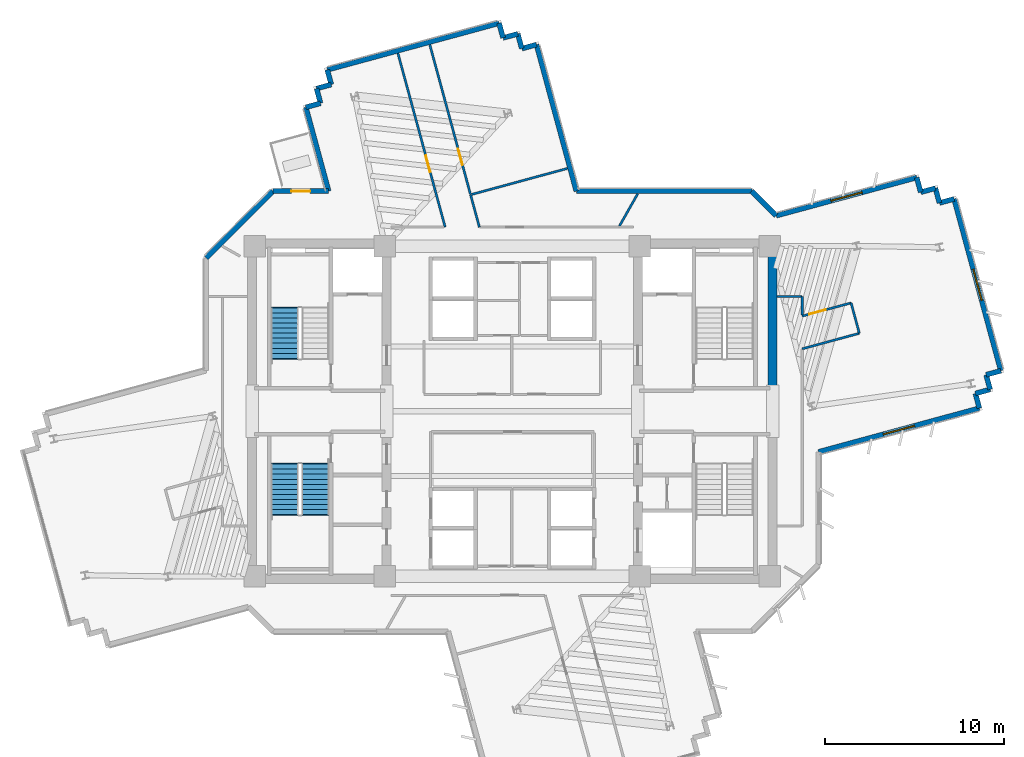
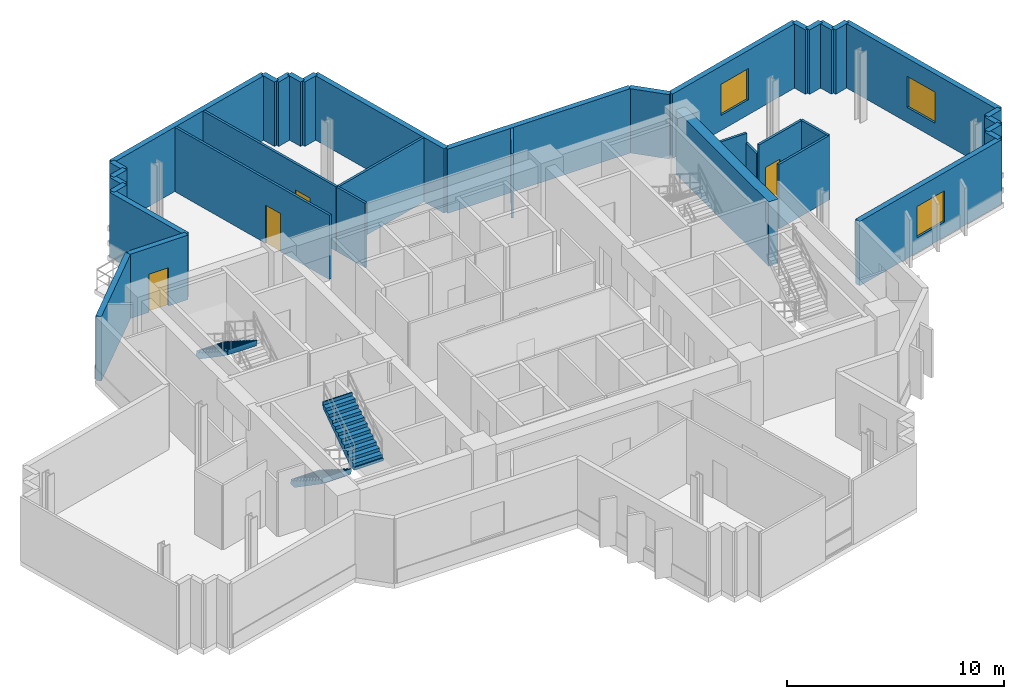
# One storey, part 11 of 15: 37 walls, 4 doors, 3 stair flights, 3 windows, 7 openings, 2 elements without a shape of their own.
"""IFC4 building model written with IfcOpenShell, lengths in metres."""

from ifc_helpers import new_model, si_unit, direction, frame, frame_2d, origin, place, context, subcontext, project, spatial, polyline, rectangle, outline, extrude, source, transform, mapped, material, layer, layer_set, type_object, element, fill, aggregate, save


model = new_model("IFC4")

# Units and contexts
model_context = context("Model", 3, precision=1e-05, world=origin(), true_north=direction((0.0, 1.0)))
body_context = subcontext(model_context, "Body", "Model", "MODEL_VIEW")
ifc_project = project(units=[si_unit("LENGTHUNIT", "METRE"), si_unit("AREAUNIT", "SQUARE_METRE"), si_unit("VOLUMEUNIT", "CUBIC_METRE"), si_unit("PLANEANGLEUNIT", "RADIAN"), si_unit("MASSUNIT", "GRAM", prefix="KILO")], contexts=[model_context])

# Site, building, storey
site_placement = place(None, origin())
site = spatial("IfcSite", under=ifc_project, at=site_placement, CompositionType="ELEMENT")
building_placement = place(site_placement, origin())
building = spatial("IfcBuilding", under=site, at=building_placement, Name="Zahravan Cultural Tower", CompositionType="ELEMENT")
storey_placement = place(building_placement, frame((0.0, 0.0, 198.0)))
storey = spatial("IfcBuildingStorey", under=building, at=storey_placement, Name="L46", CompositionType="ELEMENT", Elevation=198.0)

# Wall, opening, window
ifc_material_1 = material(Name="Precast concrete C40/50", Category="concrete")
ifc_layer_1 = layer(ifc_material_1, 0.280029296875)
ifc_layer_set_1 = layer_set([ifc_layer_1], Name="Precast concrete C40/50")
wall_type_1 = type_object("IfcWallType", Name="EW-TC-280", PredefinedType="SOLIDWALL", material=ifc_layer_set_1)
wall_1_placement = place(storey_placement, frame((50.705078125, 37.896728515625, 0.0), z_axis=(0.0, 0.0, 1.0), x_axis=(0.965017555758, 0.262185272431, 0.0)))
wall_1 = element("IfcWall", 1, at=wall_1_placement, inside=storey, type_object=wall_type_1, Name="L46 Exterior Masonry Frame Wall 01", PredefinedType="SOLIDWALL", context=body_context, shape_type="SweptSolid", body=[
    extrude(rectangle(XDim=8.1123046875, YDim=0.280029296875, at=frame_2d((4.05615234375, 0.0))), origin(), (0.0, 0.0, 1.0), 3.6201171875),
])
opening_1_placement = place(wall_1_placement, frame((3.156005859375, 0.0, 0.85009765625)))
opening_1 = element("IfcOpeningElement", 2, at=opening_1_placement, cuts=wall_1, Name="Opening WN-02", PredefinedType="OPENING", context=body_context, shape_type="SweptSolid", body=[
    extrude(rectangle(XDim=1.800048828125, YDim=1.75, at=frame_2d((0.89990234375, 0.875))), frame((0.0, 0.14990234375, 0.0), z_axis=(0.0, -1.0, 0.0), x_axis=(1.0, 0.0, 0.0)), (0.0, 0.0, 1.0), 0.300048828125),
])
ifc_material_2 = material(Name="Low-E solar-control double glazing", Category="glass")
window_type = type_object("IfcWindowType", Name="WN-REC-1800X1750", PartitioningType="DOUBLE_PANEL_VERTICAL", PredefinedType="WINDOW", material=ifc_material_2)
shared_shape_1 = source(origin(), body_context, "Body", "SweptSolid", [
    extrude(rectangle(XDim=1.800048828125, YDim=1.75, at=frame_2d((0.89990234375, 0.875))), frame((0.0, 0.030029296875, 0.0), z_axis=(0.0, -1.0, 0.0), x_axis=(1.0, 0.0, 0.0)), (0.0, 0.0, 1.0), 0.06005859375),
])
window_1_placement = place(opening_1_placement, origin())
window_1 = element("IfcWindow", 3, at=window_1_placement, inside=storey, type_object=window_type, Name="L46 Recessed Solar Window 01", OverallHeight=1.75, OverallWidth=1.800048828125, PartitioningType="DOUBLE_PANEL_VERTICAL", PredefinedType="WINDOW", context=body_context, shape_type="MappedRepresentation", body=[
    mapped(shared_shape_1, transform((0.0, 0.0, 0.0), x_axis=(1.0, 0.0, 0.0), y_axis=(0.0, 1.0, 0.0), z_axis=(0.0, 0.0, 1.0), scale=1.0)),
])
fill(opening_1, window_1)

wall_2_placement = place(storey_placement, frame((60.619873046875, 38.828857421875, 0.0), z_axis=(0.0, 0.0, 1.0), x_axis=(0.262180173408, -0.965018941095, 0.0)))
wall_2 = element("IfcWall", 4, at=wall_2_placement, inside=storey, type_object=wall_type_1, Name="L46 Exterior Masonry Frame Wall 06", PredefinedType="SOLIDWALL", context=body_context, shape_type="SweptSolid", body=[
    extrude(rectangle(XDim=9.919921875, YDim=0.280029296875, at=frame_2d((4.9599609375, 0.0))), origin(), (0.0, 0.0, 1.0), 3.6201171875),
])
opening_2_placement = place(wall_2_placement, frame((4.06005859375, 0.0, 0.85009765625)))
opening_2 = element("IfcOpeningElement", 5, at=opening_2_placement, cuts=wall_2, Name="Opening WN-02", PredefinedType="OPENING", context=body_context, shape_type="SweptSolid", body=[
    extrude(rectangle(XDim=1.800048828125, YDim=1.75, at=frame_2d((0.89990234375, 0.875))), frame((0.0, 0.14990234375, 0.0), z_axis=(0.0, -1.0, 0.0), x_axis=(1.0, 0.0, 0.0)), (0.0, 0.0, 1.0), 0.300048828125),
])
window_2_placement = place(opening_2_placement, origin())
window_2 = element("IfcWindow", 6, at=window_2_placement, inside=storey, type_object=window_type, Name="L46 Recessed Solar Window 02", OverallHeight=1.75, OverallWidth=1.800048828125, PartitioningType="DOUBLE_PANEL_VERTICAL", PredefinedType="WINDOW", context=body_context, shape_type="MappedRepresentation", body=[
    mapped(shared_shape_1, transform((0.0, 0.0, 0.0), x_axis=(1.0, 0.0, 0.0), y_axis=(0.0, 1.0, 0.0), z_axis=(0.0, 0.0, 1.0), scale=1.0)),
])
fill(opening_2, window_2)

wall_3_placement = place(storey_placement, frame((62.02587890625, 27.169677734375, 0.0), z_axis=(0.0, 0.0, 1.0), x_axis=(-0.965014433153, -0.262196765439, 0.0)))
wall_3 = element("IfcWall", 7, at=wall_3_placement, inside=storey, type_object=wall_type_1, Name="L46 Exterior Masonry Frame Wall 11", PredefinedType="SOLIDWALL", context=body_context, shape_type="SweptSolid", body=[
    extrude(rectangle(XDim=9.290771484375, YDim=0.280029296875, at=frame_2d((4.6455078125, 0.0))), origin(), (0.0, 0.0, 1.0), 3.6201171875),
])
opening_3_placement = place(wall_3_placement, frame((3.74609375, 0.0, 0.85009765625)))
opening_3 = element("IfcOpeningElement", 8, at=opening_3_placement, cuts=wall_3, Name="Opening WN-02", PredefinedType="OPENING", context=body_context, shape_type="SweptSolid", body=[
    extrude(rectangle(XDim=1.800048828125, YDim=1.75, at=frame_2d((0.89990234375, 0.875))), frame((0.0, 0.14990234375, 0.0), z_axis=(0.0, -1.0, 0.0), x_axis=(1.0, 0.0, 0.0)), (0.0, 0.0, 1.0), 0.300048828125),
])
window_3_placement = place(opening_3_placement, origin())
window_3 = element("IfcWindow", 9, at=window_3_placement, inside=storey, type_object=window_type, Name="L46 Recessed Solar Window 03", OverallHeight=1.75, OverallWidth=1.800048828125, PartitioningType="DOUBLE_PANEL_VERTICAL", PredefinedType="WINDOW", context=body_context, shape_type="MappedRepresentation", body=[
    mapped(shared_shape_1, transform((0.0, 0.0, 0.0), x_axis=(1.0, 0.0, 0.0), y_axis=(0.0, 1.0, 0.0), z_axis=(0.0, 0.0, 1.0), scale=1.0)),
])
fill(opening_3, window_3)

# Wall, opening, door
wall_4_placement = place(storey_placement, frame((22.657958984375, 39.260009765625, 0.0), z_axis=(0.0, 0.0, 1.0), x_axis=(1.0, 0.0, 0.0)))
wall_4 = element("IfcWall", 10, at=wall_4_placement, inside=storey, type_object=wall_type_1, Name="L46 Exterior Masonry Frame Wall 39", PredefinedType="SOLIDWALL", context=body_context, shape_type="SweptSolid", body=[
    extrude(rectangle(XDim=3.109619140625, YDim=0.280029296875, at=frame_2d((1.5546875, 0.0))), origin(), (0.0, 0.0, 1.0), 3.6201171875),
])
opening_4_placement = place(wall_4_placement, frame((1.030029296875, 0.0, 0.0)))
opening_4 = element("IfcOpeningElement", 11, at=opening_4_placement, cuts=wall_4, Name="Opening D-L46-TR-NW", PredefinedType="OPENING", context=body_context, shape_type="SweptSolid", body=[
    extrude(rectangle(XDim=1.050048828125, YDim=2.14990234375, at=frame_2d((0.52490234375, 1.074951171875))), frame((0.0, 0.14990234375, 0.0), z_axis=(0.0, -1.0, 0.0), x_axis=(1.0, 0.0, 0.0)), (0.0, 0.0, 1.0), 0.300048828125),
])
ifc_material_3 = material(Name="Anodised bronze-aluminium mullion", Category="aluminium")
door_type_1 = type_object("IfcDoorType", Name="DR-TERR-1050", OperationType="NOTDEFINED", PredefinedType="DOOR", material=ifc_material_3)
shared_shape_2 = source(origin(), body_context, "Body", "SweptSolid", [
    extrude(rectangle(XDim=1.050048828125, YDim=2.14990234375, at=frame_2d((0.52490234375, 1.074951171875))), frame((0.0, 0.02490234375, 0.0), z_axis=(0.0, -1.0, 0.0), x_axis=(1.0, 0.0, 0.0)), (0.0, 0.0, 1.0), 0.050048828125),
])
door_1_placement = place(opening_4_placement, origin())
door_1 = element("IfcDoor", 12, at=door_1_placement, inside=storey, type_object=door_type_1, Name="L46 Terrace Access Door NW", OperationType="SINGLE_SWING_LEFT", OverallHeight=2.14990234375, OverallWidth=1.050048828125, PredefinedType="DOOR", context=body_context, shape_type="MappedRepresentation", body=[
    mapped(shared_shape_2, transform((0.0, 0.0, 0.0), x_axis=(1.0, 0.0, 0.0), y_axis=(0.0, 1.0, 0.0), z_axis=(0.0, 0.0, 1.0), scale=1.0)),
])
fill(opening_4, door_1)

ifc_material_4 = material(Name="Gypsum plasterboard partition")
ifc_layer_2 = layer(ifc_material_4, 0.125)
ifc_layer_set_2 = layer_set([ifc_layer_2], Name="Gypsum plasterboard partition")
wall_type_2 = type_object("IfcWallType", Name="W-PART-125", PredefinedType="PARTITIONING", material=ifc_layer_set_2)
wall_5_placement = place(storey_placement, frame((33.670654296875, 39.08203125, 0.0), z_axis=(0.0, 0.0, 1.0), x_axis=(-0.262187726373, 0.965016889044, 0.0)))
wall_5 = element("IfcWall", 13, at=wall_5_placement, inside=storey, type_object=wall_type_2, Name="L46 Interior Wall 084", PredefinedType="PARTITIONING", context=body_context, shape_type="SweptSolid", body=[
    extrude(rectangle(XDim=8.64501953125, YDim=0.125, at=frame_2d((4.322509765625, 0.0))), origin(), (0.0, 0.0, 1.0), 3.6201171875),
])
opening_5_placement = place(wall_5_placement, frame((1.69287109375, 0.0, 0.0)))
opening_5 = element("IfcOpeningElement", 14, at=opening_5_placement, cuts=wall_5, Name="Opening D-L46-22", PredefinedType="OPENING", context=body_context, shape_type="SweptSolid", body=[
    extrude(rectangle(XDim=0.949951171875, YDim=2.14990234375, at=frame_2d((0.47509765625, 1.074951171875))), frame((0.0, 0.072509765625, 0.0), z_axis=(0.0, -1.0, 0.0), x_axis=(1.0, 0.0, 0.0)), (0.0, 0.0, 1.0), 0.14501953125),
])
door_type_2 = type_object("IfcDoorType", Name="DR-ROOM-950", OperationType="NOTDEFINED", PredefinedType="DOOR", material=ifc_material_3)
shared_shape_3 = source(origin(), body_context, "Body", "SweptSolid", [
    extrude(rectangle(XDim=0.949951171875, YDim=2.14990234375, at=frame_2d((0.47509765625, 1.074951171875))), frame((0.0, 0.02490234375, 0.0), z_axis=(0.0, -1.0, 0.0), x_axis=(1.0, 0.0, 0.0)), (0.0, 0.0, 1.0), 0.050048828125),
])
door_2_placement = place(opening_5_placement, origin())
door_2 = element("IfcDoor", 15, at=door_2_placement, inside=storey, type_object=door_type_2, Name="L46 Door D-L46-22", OperationType="SINGLE_SWING_RIGHT", OverallHeight=2.14990234375, OverallWidth=0.949951171875, PredefinedType="DOOR", context=body_context, shape_type="MappedRepresentation", body=[
    mapped(shared_shape_3, transform((0.0, 0.0, 0.0), x_axis=(1.0, 0.0, 0.0), y_axis=(0.0, 1.0, 0.0), z_axis=(0.0, 0.0, 1.0), scale=1.0)),
])
fill(opening_5, door_2)

wall_6_placement = place(storey_placement, frame((29.62841796875, 46.942138671875, 0.0), z_axis=(0.0, 0.0, 1.0), x_axis=(0.262192801501, -0.965015510156, 0.0)))
wall_6 = element("IfcWall", 16, at=wall_6_placement, inside=storey, type_object=wall_type_2, Name="L46 Interior Wall 091", PredefinedType="PARTITIONING", context=body_context, shape_type="SweptSolid", body=[
    extrude(rectangle(XDim=10.033203125, YDim=0.125, at=frame_2d((5.0166015625, 0.0))), origin(), (0.0, 0.0, 1.0), 3.6201171875),
])
opening_6_placement = place(wall_6_placement, frame((5.904052734375, 0.0, 0.0)))
opening_6 = element("IfcOpeningElement", 17, at=opening_6_placement, cuts=wall_6, Name="Opening D-L46-23", PredefinedType="OPENING", context=body_context, shape_type="SweptSolid", body=[
    extrude(rectangle(XDim=0.949951171875, YDim=2.14990234375, at=frame_2d((0.47509765625, 1.074951171875))), frame((0.0, 0.072509765625, 0.0), z_axis=(0.0, -1.0, 0.0), x_axis=(1.0, 0.0, 0.0)), (0.0, 0.0, 1.0), 0.14501953125),
])
door_3_placement = place(opening_6_placement, origin())
door_3 = element("IfcDoor", 18, at=door_3_placement, inside=storey, type_object=door_type_2, Name="L46 Door D-L46-23", OperationType="SINGLE_SWING_LEFT", OverallHeight=2.14990234375, OverallWidth=0.949951171875, PredefinedType="DOOR", context=body_context, shape_type="MappedRepresentation", body=[
    mapped(shared_shape_3, transform((0.0, 0.0, 0.0), x_axis=(1.0, 0.0, 0.0), y_axis=(0.0, 1.0, 0.0), z_axis=(0.0, 0.0, 1.0), scale=1.0)),
])
fill(opening_6, door_3)

wall_7_placement = place(storey_placement, frame((54.876708984375, 33.035400390625, 0.0), z_axis=(0.0, 0.0, 1.0), x_axis=(-0.965486271956, -0.260453947301, 0.0)))
wall_7 = element("IfcWall", 19, at=wall_7_placement, inside=storey, type_object=wall_type_2, Name="L46 Interior Wall 108", PredefinedType="PARTITIONING", context=body_context, shape_type="SweptSolid", body=[
    extrude(rectangle(XDim=2.82421875, YDim=0.125, at=frame_2d((1.412109375, 0.0))), origin(), (0.0, 0.0, 1.0), 3.6201171875),
])
opening_7_placement = place(wall_7_placement, frame((1.4619140625, 0.0, 0.0)))
opening_7 = element("IfcOpeningElement", 20, at=opening_7_placement, cuts=wall_7, Name="Opening D-L46-20", PredefinedType="OPENING", context=body_context, shape_type="SweptSolid", body=[
    extrude(rectangle(XDim=0.949951171875, YDim=2.14990234375, at=frame_2d((0.47509765625, 1.074951171875))), frame((0.0, 0.072509765625, 0.0), z_axis=(0.0, -1.0, 0.0), x_axis=(1.0, 0.0, 0.0)), (0.0, 0.0, 1.0), 0.14501953125),
])
door_4_placement = place(opening_7_placement, origin())
door_4 = element("IfcDoor", 21, at=door_4_placement, inside=storey, type_object=door_type_2, Name="L46 Door D-L46-20", OperationType="SINGLE_SWING_RIGHT", OverallHeight=2.14990234375, OverallWidth=0.949951171875, PredefinedType="DOOR", context=body_context, shape_type="MappedRepresentation", body=[
    mapped(shared_shape_3, transform((0.0, 0.0, 0.0), x_axis=(1.0, 0.0, 0.0), y_axis=(0.0, 1.0, 0.0), z_axis=(0.0, 0.0, 1.0), scale=1.0)),
])
fill(opening_7, door_4)

# Walls
ifc_material_5 = material(Name="Concrete C60/75", Category="concrete")
ifc_layer_3 = layer(ifc_material_5, 0.5)
ifc_layer_set_3 = layer_set([ifc_layer_3], Name="Concrete C60/75")
wall_type_3 = type_object("IfcWallType", Name="CW-SHEAR-500-C60", PredefinedType="SHEAR", material=ifc_layer_set_3)
shared_shape_4 = source(origin(), body_context, "Body", "SweptSolid", [
    extrude(rectangle(XDim=8.550048828125, YDim=0.5, at=frame_2d((4.27490234375, 0.0))), origin(), (0.0, 0.0, 1.0), 3.6201171875),
])
wall_8_placement = place(storey_placement, frame((50.5, 28.050048828125, 0.0), z_axis=(0.0, 0.0, 1.0), x_axis=(0.0, 1.0, 0.0)))
element("IfcWall", 22, at=wall_8_placement, inside=storey, type_object=wall_type_3, Name="L46 Core Shear Wall CW-E-EN-L46", PredefinedType="SHEAR", context=body_context, shape_type="MappedRepresentation", body=[
    mapped(shared_shape_4, transform((0.0, 0.0, 0.0), x_axis=(1.0, 0.0, 0.0), y_axis=(0.0, 1.0, 0.0), z_axis=(0.0, 0.0, 1.0), scale=1.0)),
])
shared_shape_5 = source(origin(), body_context, "Body", "SweptSolid", [
    extrude(rectangle(XDim=0.85009765625, YDim=0.280029296875, at=frame_2d((0.425048828125, 0.0))), origin(), (0.0, 0.0, 1.0), 3.6201171875),
])
for number, where, z_axis, x_axis, name in (
    (23, (58.53369140625, 40.023681640625, 0.0), (0.0, 0.0, 1.0), (0.262218119094, -0.965008631059, 0.0), "L46 Exterior Masonry Frame Wall 02"),
    (24, (58.756591796875, 39.203369140625, 0.0), (0.0, 0.0, 1.0), (0.965008631059, 0.262218119094, 0.0), "L46 Exterior Masonry Frame Wall 03"),
    (25, (59.576904296875, 39.42626953125, 0.0), (0.0, 0.0, 1.0), (0.261950631675, -0.965081274591, 0.0), "L46 Exterior Masonry Frame Wall 04"),
    (26, (59.799560546875, 38.60595703125, 0.0), (0.0, 0.0, 1.0), (0.965008631059, 0.262218119094, 0.0), "L46 Exterior Masonry Frame Wall 05"),
    (27, (63.220703125, 29.255859375, 0.0), (0.0, 0.0, 1.0), (-0.965081274591, -0.261950631675, 0.0), "L46 Exterior Masonry Frame Wall 07"),
    (28, (62.400390625, 29.033203125, 0.0), (0.0, 0.0, 1.0), (0.262218119094, -0.965008631059, 0.0), "L46 Exterior Masonry Frame Wall 08"),
    (29, (62.623291015625, 28.212890625, 0.0), (0.0, 0.0, 1.0), (-0.965008631059, -0.262218119094, 0.0), "L46 Exterior Masonry Frame Wall 09"),
    (30, (61.802978515625, 27.989990234375, 0.0), (0.0, 0.0, 1.0), (0.262218119094, -0.965008631059, 0.0), "L46 Exterior Masonry Frame Wall 10"),
    (31, (24.4970703125, 43.9365234375, 0.0), (0.0, 0.0, 1.0), (0.965008631059, 0.262218119094, 0.0), "L46 Exterior Masonry Frame Wall 41"),
    (32, (25.3173828125, 44.159423828125, 0.0), (0.0, 0.0, 1.0), (-0.262218119094, 0.965008631059, 0.0), "L46 Exterior Masonry Frame Wall 42"),
    (33, (25.094482421875, 44.979736328125, 0.0), (0.0, 0.0, 1.0), (0.965081274591, 0.261950631675, 0.0), "L46 Exterior Masonry Frame Wall 43"),
    (34, (25.914794921875, 45.202392578125, 0.0), (0.0, 0.0, 1.0), (-0.262218119094, 0.965008631059, 0.0), "L46 Exterior Masonry Frame Wall 44"),
    (35, (35.264892578125, 48.623779296875, 0.0), (0.0, 0.0, 1.0), (0.261950631675, -0.965081274591, 0.0), "L46 Exterior Masonry Frame Wall 46"),
    (36, (35.487548828125, 47.803466796875, 0.0), (0.0, 0.0, 1.0), (0.965008631059, 0.262218119094, 0.0), "L46 Exterior Masonry Frame Wall 47"),
    (37, (36.307861328125, 48.0263671875, 0.0), (0.0, 0.0, 1.0), (0.262218119094, -0.965008631059, 0.0), "L46 Exterior Masonry Frame Wall 48"),
    (38, (36.53076171875, 47.2060546875, 0.0), (0.0, 0.0, 1.0), (0.965008631059, 0.262218119094, 0.0), "L46 Exterior Masonry Frame Wall 49"),
):
    element("IfcWall", number, at=place(storey_placement, frame(where, z_axis=z_axis, x_axis=x_axis)), inside=storey, type_object=wall_type_1, Name=name, PredefinedType="SOLIDWALL", context=body_context, shape_type="MappedRepresentation", body=[
        mapped(shared_shape_5, transform((0.0, 0.0, 0.0), x_axis=(1.0, 0.0, 0.0), y_axis=(0.0, 1.0, 0.0), z_axis=(0.0, 0.0, 1.0), scale=1.0)),
    ])
shared_shape_6 = source(origin(), body_context, "Body", "SweptSolid", [
    extrude(rectangle(XDim=5.258056640625, YDim=0.280029296875, at=frame_2d((2.62890625, 0.0))), origin(), (0.0, 0.0, 1.0), 3.6201171875),
])
wall_9_placement = place(storey_placement, frame((18.93994140625, 35.5419921875, 0.0), z_axis=(0.0, 0.0, 1.0), x_axis=(0.707106781187, 0.707106781187, 0.0)))
element("IfcWall", 39, at=wall_9_placement, inside=storey, type_object=wall_type_1, Name="L46 Exterior Masonry Frame Wall 38", PredefinedType="SOLIDWALL", context=body_context, shape_type="MappedRepresentation", body=[
    mapped(shared_shape_6, transform((0.0, 0.0, 0.0), x_axis=(1.0, 0.0, 0.0), y_axis=(0.0, 1.0, 0.0), z_axis=(0.0, 0.0, 1.0), scale=1.0)),
])
shared_shape_7 = source(origin(), body_context, "Body", "SweptSolid", [
    extrude(rectangle(XDim=1.927734375, YDim=0.280029296875, at=frame_2d((0.9638671875, 0.0))), origin(), (0.0, 0.0, 1.0), 3.6201171875),
])
wall_10_placement = place(storey_placement, frame((49.342041015625, 39.260009765625, 0.0), z_axis=(0.0, 0.0, 1.0), x_axis=(0.707043457246, -0.707170099456, 0.0)))
element("IfcWall", 40, at=wall_10_placement, inside=storey, type_object=wall_type_1, Name="L46 Exterior Masonry Frame Wall 52", PredefinedType="SOLIDWALL", context=body_context, shape_type="MappedRepresentation", body=[
    mapped(shared_shape_7, transform((0.0, 0.0, 0.0), x_axis=(1.0, 0.0, 0.0), y_axis=(0.0, 1.0, 0.0), z_axis=(0.0, 0.0, 1.0), scale=1.0)),
])
shared_shape_8 = source(origin(), body_context, "Body", "SweptSolid", [
    extrude(rectangle(XDim=4.845947265625, YDim=0.280029296875, at=frame_2d((2.4228515625, 0.0))), origin(), (0.0, 0.0, 1.0), 3.6201171875),
])
wall_11_placement = place(storey_placement, frame((25.767578125, 39.260009765625, 0.0), z_axis=(0.0, 0.0, 1.0), x_axis=(-0.262175182741, 0.965020296965, 0.0)))
element("IfcWall", 41, at=wall_11_placement, inside=storey, type_object=wall_type_1, Name="L46 Exterior Masonry Frame Wall 40", PredefinedType="SOLIDWALL", context=body_context, shape_type="MappedRepresentation", body=[
    mapped(shared_shape_8, transform((0.0, 0.0, 0.0), x_axis=(1.0, 0.0, 0.0), y_axis=(0.0, 1.0, 0.0), z_axis=(0.0, 0.0, 1.0), scale=1.0)),
])
shared_shape_9 = source(origin(), body_context, "Body", "SweptSolid", [
    extrude(rectangle(XDim=9.920166015625, YDim=0.280029296875, at=frame_2d((4.9599609375, 0.0))), origin(), (0.0, 0.0, 1.0), 3.6201171875),
])
wall_12_placement = place(storey_placement, frame((25.69189453125, 46.022705078125, 0.0), z_axis=(0.0, 0.0, 1.0), x_axis=(0.965012714082, 0.262203092393, 0.0)))
element("IfcWall", 42, at=wall_12_placement, inside=storey, type_object=wall_type_1, Name="L46 Exterior Masonry Frame Wall 45", PredefinedType="SOLIDWALL", context=body_context, shape_type="MappedRepresentation", body=[
    mapped(shared_shape_9, transform((0.0, 0.0, 0.0), x_axis=(1.0, 0.0, 0.0), y_axis=(0.0, 1.0, 0.0), z_axis=(0.0, 0.0, 1.0), scale=1.0)),
])
shared_shape_10 = source(origin(), body_context, "Body", "SweptSolid", [
    extrude(rectangle(XDim=8.465087890625, YDim=0.280029296875, at=frame_2d((4.232421875, 0.0))), origin(), (0.0, 0.0, 1.0), 3.6201171875),
])
wall_13_placement = place(storey_placement, frame((37.35107421875, 47.428955078125, 0.0), z_axis=(0.0, 0.0, 1.0), x_axis=(0.262192380254, -0.965015624608, 0.0)))
element("IfcWall", 43, at=wall_13_placement, inside=storey, type_object=wall_type_1, Name="L46 Exterior Masonry Frame Wall 50", PredefinedType="SOLIDWALL", context=body_context, shape_type="MappedRepresentation", body=[
    mapped(shared_shape_10, transform((0.0, 0.0, 0.0), x_axis=(1.0, 0.0, 0.0), y_axis=(0.0, 1.0, 0.0), z_axis=(0.0, 0.0, 1.0), scale=1.0)),
])
shared_shape_11 = source(origin(), body_context, "Body", "SweptSolid", [
    extrude(rectangle(XDim=9.771484375, YDim=0.280029296875, at=frame_2d((4.8857421875, 0.0))), origin(), (0.0, 0.0, 1.0), 3.6201171875),
])
wall_14_placement = place(storey_placement, frame((39.570556640625, 39.260009765625, 0.0), z_axis=(0.0, 0.0, 1.0), x_axis=(1.0, 0.0, 0.0)))
element("IfcWall", 44, at=wall_14_placement, inside=storey, type_object=wall_type_1, Name="L46 Exterior Masonry Frame Wall 51", PredefinedType="SOLIDWALL", context=body_context, shape_type="MappedRepresentation", body=[
    mapped(shared_shape_11, transform((0.0, 0.0, 0.0), x_axis=(1.0, 0.0, 0.0), y_axis=(0.0, 1.0, 0.0), z_axis=(0.0, 0.0, 1.0), scale=1.0)),
])
shared_shape_12 = source(origin(), body_context, "Body", "SweptSolid", [
    extrude(rectangle(XDim=5.52734375, YDim=0.125, at=frame_2d((2.763671875, 0.0))), origin(), (0.0, 0.0, 1.0), 3.6201171875),
])
wall_15_placement = place(storey_placement, frame((33.7412109375, 39.080322265625, 0.0), z_axis=(0.0, 0.0, 1.0), x_axis=(0.965004985248, 0.262231535949, 0.0)))
element("IfcWall", 45, at=wall_15_placement, inside=storey, type_object=wall_type_2, Name="L46 Interior Wall 075", PredefinedType="PARTITIONING", context=body_context, shape_type="MappedRepresentation", body=[
    mapped(shared_shape_12, transform((0.0, 0.0, 0.0), x_axis=(1.0, 0.0, 0.0), y_axis=(0.0, 1.0, 0.0), z_axis=(0.0, 0.0, 1.0), scale=1.0)),
])
shared_shape_13 = source(origin(), body_context, "Body", "SweptSolid", [
    extrude(rectangle(XDim=1.8681640625, YDim=0.125, at=frame_2d((0.93408203125, 0.0))), origin(), (0.0, 0.0, 1.0), 3.6201171875),
])
wall_16_placement = place(storey_placement, frame((34.165771484375, 37.260009765625, 0.0), z_axis=(0.0, 0.0, 1.0), x_axis=(-0.262166249224, 0.965022723964, 0.0)))
element("IfcWall", 46, at=wall_16_placement, inside=storey, type_object=wall_type_2, Name="L46 Interior Wall 074", PredefinedType="PARTITIONING", context=body_context, shape_type="MappedRepresentation", body=[
    mapped(shared_shape_13, transform((0.0, 0.0, 0.0), x_axis=(1.0, 0.0, 0.0), y_axis=(0.0, 1.0, 0.0), z_axis=(0.0, 0.0, 1.0), scale=1.0)),
])
shared_shape_14 = source(origin(), body_context, "Body", "SweptSolid", [
    extrude(rectangle(XDim=2.060791015625, YDim=0.125, at=frame_2d((1.0302734375, 0.0))), origin(), (0.0, 0.0, 1.0), 3.6201171875),
])
wall_17_placement = place(storey_placement, frame((42.9873046875, 39.114990234375, 0.0), z_axis=(0.0, 0.0, 1.0), x_axis=(-0.492818271576, -0.870132260752, 0.0)))
element("IfcWall", 47, at=wall_17_placement, inside=storey, type_object=wall_type_2, Name="L46 Interior Wall 076", PredefinedType="PARTITIONING", context=body_context, shape_type="MappedRepresentation", body=[
    mapped(shared_shape_14, transform((0.0, 0.0, 0.0), x_axis=(1.0, 0.0, 0.0), y_axis=(0.0, 1.0, 0.0), z_axis=(0.0, 0.0, 1.0), scale=1.0)),
])
shared_shape_15 = source(origin(), body_context, "Body", "SweptSolid", [
    extrude(rectangle(XDim=1.028076171875, YDim=0.125, at=frame_2d((0.51416015625, 0.0))), origin(), (0.0, 0.0, 1.0), 3.0791015625),
])
wall_18_placement = place(storey_placement, frame((52.14990234375, 32.36962890625, 0.0), z_axis=(0.0, 0.0, 1.0), x_axis=(-0.001187365584, 0.999999295081, 0.0)))
element("IfcWall", 48, at=wall_18_placement, inside=storey, type_object=wall_type_2, Name="L46 Interior Wall 109", PredefinedType="PARTITIONING", context=body_context, shape_type="MappedRepresentation", body=[
    mapped(shared_shape_15, transform((0.0, 0.0, 0.0), x_axis=(1.0, 0.0, 0.0), y_axis=(0.0, 1.0, 0.0), z_axis=(0.0, 0.0, 1.0), scale=1.0)),
])
shared_shape_16 = source(origin(), body_context, "Body", "SweptSolid", [
    extrude(rectangle(XDim=1.389892578125, YDim=0.125, at=frame_2d((0.69482421875, 0.0))), origin(), (0.0, 0.0, 1.0), 3.6201171875),
])
wall_19_placement = place(storey_placement, frame((52.144775390625, 33.397705078125, 0.0), z_axis=(0.0, 0.0, 1.0), x_axis=(-0.999998750398, 0.001580886835, 0.0)))
element("IfcWall", 49, at=wall_19_placement, inside=storey, type_object=wall_type_2, Name="L46 Interior Wall 110", PredefinedType="PARTITIONING", context=body_context, shape_type="MappedRepresentation", body=[
    mapped(shared_shape_16, transform((0.0, 0.0, 0.0), x_axis=(1.0, 0.0, 0.0), y_axis=(0.0, 1.0, 0.0), z_axis=(0.0, 0.0, 1.0), scale=1.0)),
])
shared_shape_17 = source(origin(), body_context, "Body", "SweptSolid", [
    extrude(rectangle(XDim=3.301025390625, YDim=0.125, at=frame_2d((1.650390625, 0.0))), origin(), (0.0, 0.0, 1.0), 3.6201171875),
])
wall_20_placement = place(storey_placement, frame((52.150146484375, 30.47607421875, 0.0), z_axis=(0.0, 0.0, 1.0), x_axis=(0.964918963187, 0.262547889884, 0.0)))
element("IfcWall", 50, at=wall_20_placement, inside=storey, type_object=wall_type_2, Name="L46 Interior Wall 106", PredefinedType="PARTITIONING", context=body_context, shape_type="MappedRepresentation", body=[
    mapped(shared_shape_17, transform((0.0, 0.0, 0.0), x_axis=(1.0, 0.0, 0.0), y_axis=(0.0, 1.0, 0.0), z_axis=(0.0, 0.0, 1.0), scale=1.0)),
])
shared_shape_18 = source(origin(), body_context, "Body", "SweptSolid", [
    extrude(rectangle(XDim=1.753662109375, YDim=0.125, at=frame_2d((0.876953125, 0.0))), origin(), (0.0, 0.0, 1.0), 3.6201171875),
])
wall_21_placement = place(storey_placement, frame((55.33544921875, 31.3427734375, 0.0), z_axis=(0.0, 0.0, 1.0), x_axis=(-0.261585705111, 0.965180252016, 0.0)))
element("IfcWall", 51, at=wall_21_placement, inside=storey, type_object=wall_type_2, Name="L46 Interior Wall 107", PredefinedType="PARTITIONING", context=body_context, shape_type="MappedRepresentation", body=[
    mapped(shared_shape_18, transform((0.0, 0.0, 0.0), x_axis=(1.0, 0.0, 0.0), y_axis=(0.0, 1.0, 0.0), z_axis=(0.0, 0.0, 1.0), scale=1.0)),
])

# Stair, stair flight
ifc_material_6 = material(Name="Concrete C45/55", Category="concrete")
stair_type = type_object("IfcStairType", Name="STR-DL-1550-390", PredefinedType="HALF_TURN_STAIR", material=ifc_material_6)
stair_1_placement = place(storey_placement, origin())
stair_1 = element("IfcStair", 52, at=stair_1_placement, inside=storey, type_object=stair_type, Name="L46 West Core North Exit Stair ST-W1", PredefinedType="HALF_TURN_STAIR")
stair_flight_type = type_object("IfcStairFlightType", Name="FLG-DL-1550-390", PredefinedType="STRAIGHT", material=ifc_material_6)
stair_flight_1_placement = place(storey_placement, frame((23.324951171875, 32.75, 1.949951171875), z_axis=(0.0, 0.0, 1.0), x_axis=(0.0, -1.0, 0.0)))
stair_flight_1 = element("IfcStairFlight", 53, at=stair_flight_1_placement, type_object=stair_flight_type, Name="ST-W1 flight 2", NumberOfRisers=11, NumberOfTreads=10, PredefinedType="STRAIGHT", RiserHeight=0.177272727, TreadLength=0.28, context=body_context, shape_type="SweptSolid", body=[
    extrude(outline(polyline([(-0.06494140625, -0.139892578125), (-0.06494140625, 0.0), (0.0, 0.0), (0.0, 0.17724609375), (0.280029296875, 0.17724609375), (0.280029296875, 0.3544921875), (0.56005859375, 0.3544921875), (0.56005859375, 0.53173828125), (0.840087890625, 0.53173828125), (0.840087890625, 0.708984375), (1.1201171875, 0.708984375), (1.1201171875, 0.886474609375), (1.39990234375, 0.886474609375), (1.39990234375, 1.063720703125), (1.679931640625, 1.063720703125), (1.679931640625, 1.240966796875), (1.9599609375, 1.240966796875), (1.9599609375, 1.418212890625), (2.239990234375, 1.418212890625), (2.239990234375, 1.595458984375), (2.52001953125, 1.595458984375), (2.52001953125, 1.772705078125), (2.800048828125, 1.772705078125), (2.800048828125, 1.949951171875), (2.864990234375, 1.949951171875), (2.864990234375, 1.800048828125), (2.800048828125, 1.59521484375), (0.2802734375, -0.139892578125), (-0.06494140625, -0.139892578125)])), frame((0.0, 0.77490234375, 0.0), z_axis=(0.0, -1.0, 0.0), x_axis=(1.0, 0.0, 0.0)), (0.0, 0.0, 1.0), 1.550048828125),
])
aggregate(stair_1, [stair_flight_1])

# Stair, stair flights
stair_2_placement = place(storey_placement, origin())
stair_2 = element("IfcStair", 54, at=stair_2_placement, inside=storey, type_object=stair_type, Name="L46 West Core South Exit Stair ST-W2", PredefinedType="HALF_TURN_STAIR")
stair_flight_2_placement = place(storey_placement, frame((23.324951171875, 24.050048828125, 0.0), z_axis=(0.0, 0.0, 1.0), x_axis=(0.0, -1.0, 0.0)))
stair_flight_2 = element("IfcStairFlight", 55, at=stair_flight_2_placement, type_object=stair_flight_type, Name="ST-W2 flight 1", NumberOfRisers=11, NumberOfTreads=10, PredefinedType="STRAIGHT", RiserHeight=0.177272727, TreadLength=0.28, context=body_context, shape_type="SweptSolid", body=[
    extrude(outline(polyline([(-0.06494140625, -0.139892578125), (-0.06494140625, 0.0), (0.0, 0.0), (0.0, 0.17724609375), (0.280029296875, 0.17724609375), (0.280029296875, 0.3544921875), (0.56005859375, 0.3544921875), (0.56005859375, 0.53173828125), (0.840087890625, 0.53173828125), (0.840087890625, 0.708984375), (1.1201171875, 0.708984375), (1.1201171875, 0.886474609375), (1.39990234375, 0.886474609375), (1.39990234375, 1.063720703125), (1.679931640625, 1.063720703125), (1.679931640625, 1.240966796875), (1.9599609375, 1.240966796875), (1.9599609375, 1.418212890625), (2.239990234375, 1.418212890625), (2.239990234375, 1.595458984375), (2.52001953125, 1.595458984375), (2.52001953125, 1.772705078125), (2.800048828125, 1.772705078125), (2.800048828125, 1.949951171875), (2.864990234375, 1.949951171875), (2.864990234375, 1.800048828125), (2.800048828125, 1.59521484375), (0.2802734375, -0.139892578125), (-0.06494140625, -0.139892578125)])), frame((0.0, 0.77490234375, 0.0), z_axis=(0.0, -1.0, 0.0), x_axis=(1.0, 0.0, 0.0)), (0.0, 0.0, 1.0), 1.550048828125),
])
stair_flight_3_placement = place(storey_placement, frame((25.02490234375, 21.25, 1.949951171875), z_axis=(0.0, 0.0, 1.0), x_axis=(0.0, 1.0, 0.0)))
stair_flight_3 = element("IfcStairFlight", 56, at=stair_flight_3_placement, type_object=stair_flight_type, Name="ST-W2 flight 2", NumberOfRisers=11, NumberOfTreads=10, PredefinedType="STRAIGHT", RiserHeight=0.177272727, TreadLength=0.28, context=body_context, shape_type="SweptSolid", body=[
    extrude(outline(polyline([(-0.06494140625, -0.139892578125), (-0.06494140625, 0.0), (0.0, 0.0), (0.0, 0.17724609375), (0.280029296875, 0.17724609375), (0.280029296875, 0.3544921875), (0.56005859375, 0.3544921875), (0.56005859375, 0.53173828125), (0.840087890625, 0.53173828125), (0.840087890625, 0.708984375), (1.1201171875, 0.708984375), (1.1201171875, 0.886474609375), (1.39990234375, 0.886474609375), (1.39990234375, 1.063720703125), (1.679931640625, 1.063720703125), (1.679931640625, 1.240966796875), (1.9599609375, 1.240966796875), (1.9599609375, 1.418212890625), (2.239990234375, 1.418212890625), (2.239990234375, 1.595458984375), (2.52001953125, 1.595458984375), (2.52001953125, 1.772705078125), (2.800048828125, 1.772705078125), (2.800048828125, 1.949951171875), (2.864990234375, 1.949951171875), (2.864990234375, 1.800048828125), (2.800048828125, 1.59521484375), (0.2802734375, -0.139892578125), (-0.06494140625, -0.139892578125)])), frame((0.0, 0.77490234375, 0.0), z_axis=(0.0, -1.0, 0.0), x_axis=(1.0, 0.0, 0.0)), (0.0, 0.0, 1.0), 1.550048828125),
])
aggregate(stair_2, [stair_flight_2, stair_flight_3])

save(model, "model.ifc")
